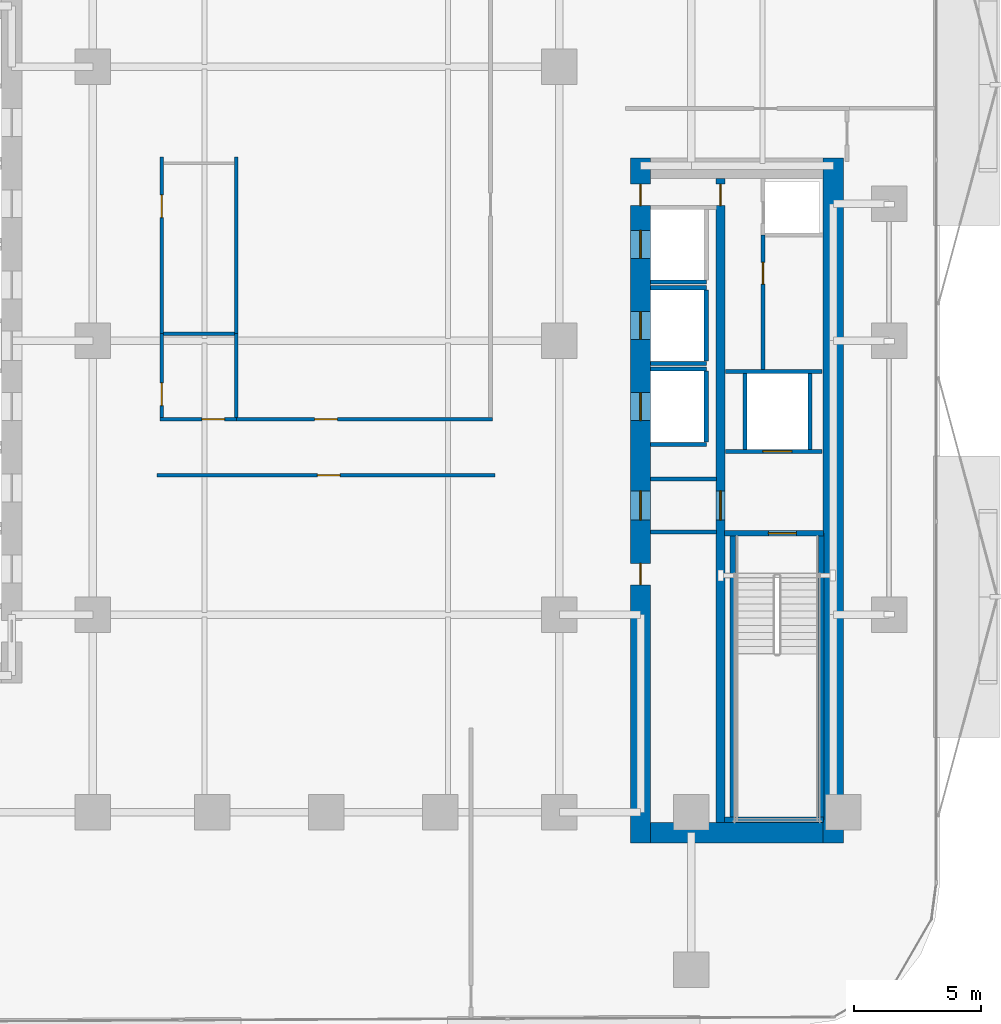
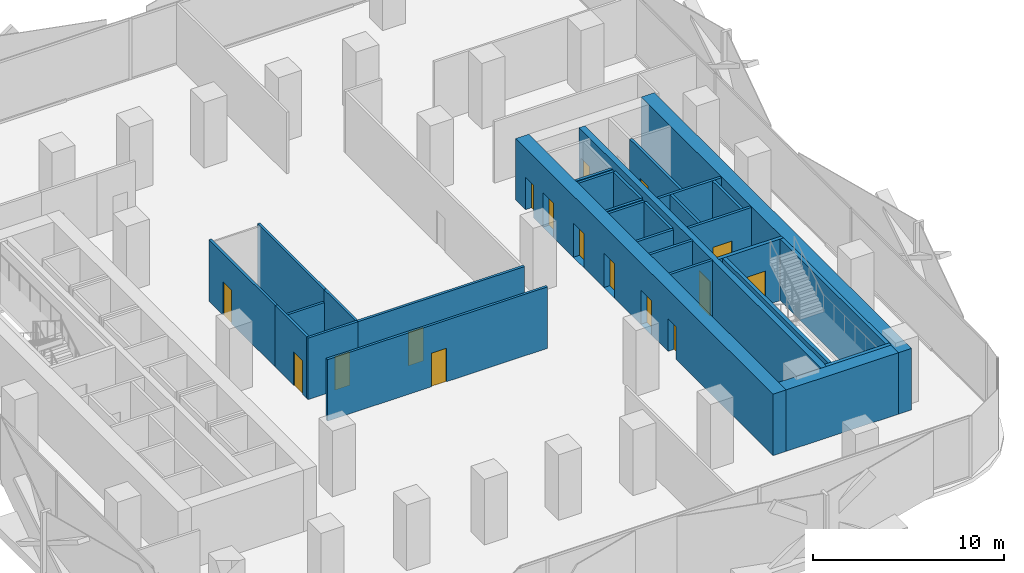
# One storey, part 4 of 15: 30 walls, 16 doors, 16 openings.
"""IFC4 building model written with IfcOpenShell, lengths in metres."""

from ifc_helpers import new_model, si_unit, direction, frame, frame_2d, origin, place, context, subcontext, project, spatial, rectangle, extrude, material, layer, layer_set, type_object, element, fill, save


model = new_model("IFC4")

# Units and contexts
model_context = context("Model", 3, precision=1e-05, world=origin(), true_north=direction((0.0, 1.0)))
body_context = subcontext(model_context, "Body", "Model", "MODEL_VIEW")
ifc_project = project(units=[si_unit("LENGTHUNIT", "METRE"), si_unit("AREAUNIT", "SQUARE_METRE"), si_unit("VOLUMEUNIT", "CUBIC_METRE"), si_unit("PLANEANGLEUNIT", "RADIAN"), si_unit("MASSUNIT", "GRAM", prefix="KILO")], contexts=[model_context])

# Site, building, storey
site_placement = place(None, origin())
site = spatial("IfcSite", under=ifc_project, at=site_placement, CompositionType="ELEMENT")
building_placement = place(site_placement, origin())
building = spatial("IfcBuilding", under=site, at=building_placement, Name="Khairoan Windgate Tower", CompositionType="ELEMENT")
storey_placement = place(building_placement, frame((0.0, 0.0, 30.199951171875)))
storey = spatial("IfcBuildingStorey", under=building, at=storey_placement, Name="L07", CompositionType="ELEMENT", Elevation=30.199951171875)

# Walls
ifc_material_1 = material(Name="Concrete C40/50", Category="concrete")
ifc_layer_1 = layer(ifc_material_1, 0.159912109375, Name="Concrete C40/50")
ifc_layer_set_1 = layer_set([ifc_layer_1], Name="Concrete C40/50")
wall_type_1 = type_object("IfcWallType", Name="Core and Hoistway Enclosure Wall", PredefinedType="STANDARD", material=ifc_layer_set_1)
for number, where, z_axis, x_axis, name in (
    (1, (12.800048828125, 2.31005859375, 0.0), (0.0, 0.0, 1.0), (1.0, 0.0, 0.0), "L07 Lift PL7 Hoistway Divider S"),
    (2, (12.800048828125, -0.889892578125, 0.0), (0.0, 0.0, 1.0), (1.0, 0.0, 0.0), "L07 Lift PL8 Hoistway Divider S"),
    (3, (12.800048828125, 2.090087890625, 0.0), (0.0, 0.0, 1.0), (1.0, 0.0, 0.0), "L07 Lift PL8 Hoistway Divider N"),
):
    element("IfcWall", number, at=place(storey_placement, frame(where, z_axis=z_axis, x_axis=x_axis)), inside=storey, type_object=wall_type_1, Name=name, PredefinedType="STANDARD", context=body_context, shape_type="SweptSolid", body=[
        extrude(rectangle(XDim=2.18994140625, YDim=0.159912109375, at=frame_2d((1.094970703125, 0.0))), origin(), (0.0, 0.0, 1.0), 3.93994140625),
    ])
wall_1_placement = place(storey_placement, frame((14.989990234375, -0.800048828125, 0.0), z_axis=(0.0, 0.0, 1.0), x_axis=(0.0, 1.0, 0.0)))
element("IfcWall", 4, at=wall_1_placement, inside=storey, type_object=wall_type_1, Name="L07 Lift PL8 Hoistway Back Wall", PredefinedType="STANDARD", context=body_context, shape_type="SweptSolid", body=[
    extrude(rectangle(XDim=2.800048828125, YDim=0.159912109375, at=frame_2d((1.39990234375, 0.0))), origin(), (0.0, 0.0, 1.0), 3.93994140625),
])
for number, where, z_axis, x_axis, name in (
    (5, (12.800048828125, -4.090087890625, 0.0), (0.0, 0.0, 1.0), (1.0, 0.0, 0.0), "L07 Lift PL9 Hoistway Divider S"),
    (6, (12.800048828125, -1.110107421875, 0.0), (0.0, 0.0, 1.0), (1.0, 0.0, 0.0), "L07 Lift PL9 Hoistway Divider N"),
):
    element("IfcWall", number, at=place(storey_placement, frame(where, z_axis=z_axis, x_axis=x_axis)), inside=storey, type_object=wall_type_1, Name=name, PredefinedType="STANDARD", context=body_context, shape_type="SweptSolid", body=[
        extrude(rectangle(XDim=2.18994140625, YDim=0.159912109375, at=frame_2d((1.094970703125, 0.0))), origin(), (0.0, 0.0, 1.0), 3.93994140625),
    ])
wall_2_placement = place(storey_placement, frame((14.989990234375, -4.0, 0.0), z_axis=(0.0, 0.0, 1.0), x_axis=(0.0, 1.0, 0.0)))
element("IfcWall", 7, at=wall_2_placement, inside=storey, type_object=wall_type_1, Name="L07 Lift PL9 Hoistway Back Wall", PredefinedType="STANDARD", context=body_context, shape_type="SweptSolid", body=[
    extrude(rectangle(XDim=2.800048828125, YDim=0.159912109375, at=frame_2d((1.39990234375, 0.0))), origin(), (0.0, 0.0, 1.0), 3.93994140625),
])

# Wall, opening, door
wall_3_placement = place(storey_placement, frame((15.75, -4.360107421875, 0.0), z_axis=(0.0, 0.0, 1.0), x_axis=(1.0, 0.0, 0.0)))
wall_3 = element("IfcWall", 8, at=wall_3_placement, inside=storey, type_object=wall_type_1, Name="L07 Core Shaft Wall SW-FL1-L07", PredefinedType="STANDARD", context=body_context, shape_type="SweptSolid", body=[
    extrude(rectangle(XDim=3.800048828125, YDim=0.159912109375, at=frame_2d((1.89990234375, 0.0))), origin(), (0.0, 0.0, 1.0), 3.93994140625),
])
opening_1_placement = place(wall_3_placement, frame((1.469970703125, 0.0, 0.0)))
opening_1 = element("IfcOpeningElement", 9, at=opening_1_placement, cuts=wall_3, Name="Opening LD-FL", PredefinedType="OPENING", context=body_context, shape_type="SweptSolid", body=[
    extrude(rectangle(XDim=1.14990234375, YDim=2.199951171875, at=frame_2d((0.574951171875, 1.10009765625))), frame((0.0, 0.08984375, 0.0), z_axis=(0.0, -1.0, 0.0), x_axis=(1.0, 0.0, 0.0)), (0.0, 0.0, 1.0), 0.179931640625),
])
ifc_material_2 = material(Name="Steel S355", Category="steel")
door_type_1 = type_object("IfcDoorType", Name="Firefighting Lift Sliding Landing Door LD-FL 1150x2200", OperationType="DOUBLE_DOOR_SLIDING", PredefinedType="DOOR", material=ifc_material_2)
door_1_placement = place(opening_1_placement, origin())
door_1 = element("IfcDoor", 10, at=door_1_placement, inside=storey, type_object=door_type_1, Name="L07 Firefighting Lift FL1 Landing Door", OperationType="DOUBLE_DOOR_SLIDING", OverallHeight=2.199951171875, OverallWidth=1.14990234375, PredefinedType="DOOR", context=body_context, shape_type="SweptSolid", body=[
    extrude(rectangle(XDim=1.14990234375, YDim=2.199951171875, at=frame_2d((0.574951171875, 1.10009765625))), frame((0.0, 0.02490234375, 0.0), z_axis=(0.0, -1.0, 0.0), x_axis=(1.0, 0.0, 0.0)), (0.0, 0.0, 1.0), 0.050048828125),
])
fill(opening_1, door_1)

# Walls
wall_4_placement = place(storey_placement, frame((15.75, -1.219970703125, 0.0), z_axis=(0.0, 0.0, 1.0), x_axis=(1.0, 0.0, 0.0)))
element("IfcWall", 11, at=wall_4_placement, inside=storey, type_object=wall_type_1, Name="L07 Core Shaft Wall SW-FL1T-L07", PredefinedType="STANDARD", context=body_context, shape_type="SweptSolid", body=[
    extrude(rectangle(XDim=3.800048828125, YDim=0.159912109375, at=frame_2d((1.89990234375, 0.0))), origin(), (0.0, 0.0, 1.0), 3.93994140625),
])
for number, where, z_axis, x_axis, name in (
    (12, (16.52001953125, -4.280029296875, 0.0), (0.0, 0.0, 1.0), (0.0, 1.0, 0.0), "L07 Core Shaft Wall SW-FL1W-L07"),
    (13, (19.080078125, -4.280029296875, 0.0), (0.0, 0.0, 1.0), (0.0, 1.0, 0.0), "L07 Core Shaft Wall SW-FL1E-L07"),
):
    element("IfcWall", number, at=place(storey_placement, frame(where, z_axis=z_axis, x_axis=x_axis)), inside=storey, type_object=wall_type_1, Name=name, PredefinedType="STANDARD", context=body_context, shape_type="SweptSolid", body=[
        extrude(rectangle(XDim=2.97998046875, YDim=0.159912109375, at=frame_2d((1.489990234375, 0.0))), origin(), (0.0, 0.0, 1.0), 3.93994140625),
    ])
for number, where, z_axis, x_axis, name in (
    (14, (12.800048828125, -5.449951171875, 0.0), (0.0, 0.0, 1.0), (1.0, 0.0, 0.0), "L07 Core Shaft Wall SW-EV1-L07"),
    (15, (12.800048828125, -7.5400390625, 0.0), (0.0, 0.0, 1.0), (1.0, 0.0, 0.0), "L07 Core Shaft Wall SW-EV2-L07"),
):
    element("IfcWall", number, at=place(storey_placement, frame(where, z_axis=z_axis, x_axis=x_axis)), inside=storey, type_object=wall_type_1, Name=name, PredefinedType="STANDARD", context=body_context, shape_type="SweptSolid", body=[
        extrude(rectangle(XDim=2.599853515625, YDim=0.159912109375, at=frame_2d((1.2998046875, 0.0))), origin(), (0.0, 0.0, 1.0), 3.93994140625),
    ])
ifc_material_3 = material(Name="Acoustic Fire-Rated Gypsum Partition", Category="gypsum")
ifc_layer_2 = layer(ifc_material_3, 0.139892578125, Name="Acoustic Fire-Rated Gypsum Partition")
ifc_layer_set_2 = layer_set([ifc_layer_2], Name="Acoustic Fire-Rated Gypsum Partition")
wall_type_2 = type_object("IfcWallType", Name="Inter-Tenancy Compartment Wall", PredefinedType="PARTITIONING", material=ifc_layer_set_2)
wall_5_placement = place(storey_placement, frame((-6.409912109375, 0.280029296875, 0.0), z_axis=(0.0, 0.0, 1.0), x_axis=(1.0, 0.0, 0.0)))
element("IfcWall", 16, at=wall_5_placement, inside=storey, type_object=wall_type_2, Name="L07 Interior Partition 028", PredefinedType="PARTITIONING", context=body_context, shape_type="SweptSolid", body=[
    extrude(rectangle(XDim=2.7998046875, YDim=0.139892578125, at=frame_2d((1.39990234375, 0.0))), origin(), (0.0, 0.0, 1.0), 3.14013671875),
])
wall_6_placement = place(storey_placement, frame((-3.5400390625, -3.02001953125, 0.0), z_axis=(0.0, 0.0, 1.0), x_axis=(0.0, 1.0, 0.0)))
element("IfcWall", 17, at=wall_6_placement, inside=storey, type_object=wall_type_2, Name="L07 Interior Partition 029", PredefinedType="PARTITIONING", context=body_context, shape_type="SweptSolid", body=[
    extrude(rectangle(XDim=3.300048828125, YDim=0.139892578125, at=frame_2d((1.64990234375, 0.0))), origin(), (0.0, 0.0, 1.0), 3.93994140625),
])
wall_7_placement = place(storey_placement, frame((-3.5400390625, 0.280029296875, 0.0), z_axis=(0.0, 0.0, 1.0), x_axis=(0.0, 1.0, 0.0)))
element("IfcWall", 18, at=wall_7_placement, inside=storey, type_object=wall_type_2, Name="L07 Interior Partition 030", PredefinedType="PARTITIONING", context=body_context, shape_type="SweptSolid", body=[
    extrude(rectangle(XDim=6.9599609375, YDim=0.139892578125, at=frame_2d((3.47998046875, 0.0))), origin(), (0.0, 0.0, 1.0), 3.93994140625),
])

# Wall, opening, door
ifc_material_4 = material(Name="Concrete C40/50", Category="concrete")
ifc_layer_3 = layer(ifc_material_4, 0.159912109375, Name="Concrete C40/50")
ifc_layer_set_3 = layer_set([ifc_layer_3], Name="Concrete C40/50")
wall_type_3 = type_object("IfcWallType", Name="Plant and Refuge Compartment Wall", PredefinedType="PARTITIONING", material=ifc_layer_set_3)
wall_8_placement = place(storey_placement, frame((17.22998046875, -1.139892578125, 0.0), z_axis=(0.0, 0.0, 1.0), x_axis=(0.0, 1.0, 0.0)))
wall_8 = element("IfcWall", 19, at=wall_8_placement, inside=storey, type_object=wall_type_3, Name="L07 Interior Partition 007", PredefinedType="PARTITIONING", context=body_context, shape_type="SweptSolid", body=[
    extrude(rectangle(XDim=5.309814453125, YDim=0.159912109375, at=frame_2d((2.65478515625, 0.0))), origin(), (0.0, 0.0, 1.0), 3.93994140625),
])
opening_2_placement = place(wall_8_placement, frame((3.375244140625, 0.0, 0.0)))
opening_2 = element("IfcOpeningElement", 20, at=opening_2_placement, cuts=wall_8, Name="Opening FD-SRV", PredefinedType="OPENING", context=body_context, shape_type="SweptSolid", body=[
    extrude(rectangle(XDim=0.85009765625, YDim=2.10009765625, at=frame_2d((0.425048828125, 1.050048828125))), frame((0.0, 0.08984375, 0.0), z_axis=(0.0, -1.0, 0.0), x_axis=(1.0, 0.0, 0.0)), (0.0, 0.0, 1.0), 0.179931640625),
])
ifc_material_5 = material(Name="Steel S355", Category="steel")
door_type_2 = type_object("IfcDoorType", Name="Core Service and Riser Fire Door FD-SRV 850x2100", OperationType="NOTDEFINED", PredefinedType="DOOR", material=ifc_material_5)
door_2_placement = place(opening_2_placement, origin())
door_2 = element("IfcDoor", 21, at=door_2_placement, inside=storey, type_object=door_type_2, Name="L07 L07-19-L07-21 Door", OperationType="SINGLE_SWING_LEFT", OverallHeight=2.10009765625, OverallWidth=0.85009765625, PredefinedType="DOOR", context=body_context, shape_type="SweptSolid", body=[
    extrude(rectangle(XDim=0.85009765625, YDim=2.10009765625, at=frame_2d((0.425048828125, 1.050048828125))), frame((0.0, 0.02490234375, 0.0), z_axis=(0.0, -1.0, 0.0), x_axis=(1.0, 0.0, 0.0)), (0.0, 0.0, 1.0), 0.050048828125),
])
fill(opening_2, door_2)

ifc_material_6 = material(Name="Acoustic Fire-Rated Gypsum Partition", Category="gypsum")
ifc_layer_4 = layer(ifc_material_6, 0.14990234375, Name="Acoustic Fire-Rated Gypsum Partition")
ifc_layer_set_4 = layer_set([ifc_layer_4], Name="Acoustic Fire-Rated Gypsum Partition")
wall_type_4 = type_object("IfcWallType", Name="Rated Corridor Partition Wall", PredefinedType="PARTITIONING", material=ifc_layer_set_4)
wall_9_placement = place(storey_placement, frame((-6.56005859375, -3.094970703125, 0.0), z_axis=(0.0, 0.0, 1.0), x_axis=(1.0, 0.0, 0.0)))
wall_9 = element("IfcWall", 22, at=wall_9_placement, inside=storey, type_object=wall_type_4, Name="L07 Interior Partition 010", PredefinedType="PARTITIONING", context=body_context, shape_type="SweptSolid", body=[
    extrude(rectangle(XDim=3.02001953125, YDim=0.14990234375, at=frame_2d((1.510009765625, 0.0))), origin(), (0.0, 0.0, 1.0), 3.93994140625),
])
opening_3_placement = place(wall_9_placement, frame((1.659912109375, 0.0, 0.0)))
opening_3 = element("IfcOpeningElement", 23, at=opening_3_placement, cuts=wall_9, Name="Opening FD-ENT", PredefinedType="OPENING", context=body_context, shape_type="SweptSolid", body=[
    extrude(rectangle(XDim=0.89990234375, YDim=2.14990234375, at=frame_2d((0.449951171875, 1.074951171875))), frame((0.0, 0.0849609375, 0.0), z_axis=(0.0, -1.0, 0.0), x_axis=(1.0, 0.0, 0.0)), (0.0, 0.0, 1.0), 0.169921875),
])
ifc_material_7 = material(Name="Timber Fire-Rated Core", Category="wood")
door_type_3 = type_object("IfcDoorType", Name="Unit and Office Fire Entrance Door FD-ENT 900x2150", OperationType="NOTDEFINED", PredefinedType="DOOR", material=ifc_material_7)
door_3_placement = place(opening_3_placement, origin())
door_3 = element("IfcDoor", 24, at=door_3_placement, inside=storey, type_object=door_type_3, Name="L07 L07-30-L07-42 Door", OperationType="SINGLE_SWING_LEFT", OverallHeight=2.14990234375, OverallWidth=0.89990234375, PredefinedType="DOOR", context=body_context, shape_type="SweptSolid", body=[
    extrude(rectangle(XDim=0.89990234375, YDim=2.14990234375, at=frame_2d((0.449951171875, 1.074951171875))), frame((0.0, 0.02490234375, 0.0), z_axis=(0.0, -1.0, 0.0), x_axis=(1.0, 0.0, 0.0)), (0.0, 0.0, 1.0), 0.050048828125),
])
fill(opening_3, door_3)

wall_10_placement = place(storey_placement, frame((-3.5400390625, -3.094970703125, 0.0), z_axis=(0.0, 0.0, 1.0), x_axis=(1.0, 0.0, 0.0)))
wall_10 = element("IfcWall", 25, at=wall_10_placement, inside=storey, type_object=wall_type_4, Name="L07 Interior Partition 011", PredefinedType="PARTITIONING", context=body_context, shape_type="SweptSolid", body=[
    extrude(rectangle(XDim=10.10009765625, YDim=0.14990234375, at=frame_2d((5.050048828125, 0.0))), origin(), (0.0, 0.0, 1.0), 3.93994140625),
])
opening_4_placement = place(wall_10_placement, frame((3.08544921875, 0.0, 0.0)))
opening_4 = element("IfcOpeningElement", 26, at=opening_4_placement, cuts=wall_10, Name="Opening FD-ENT", PredefinedType="OPENING", context=body_context, shape_type="SweptSolid", body=[
    extrude(rectangle(XDim=0.89990234375, YDim=2.14990234375, at=frame_2d((0.449951171875, 1.074951171875))), frame((0.0, 0.0849609375, 0.0), z_axis=(0.0, -1.0, 0.0), x_axis=(1.0, 0.0, 0.0)), (0.0, 0.0, 1.0), 0.169921875),
])
door_4_placement = place(opening_4_placement, origin())
door_4 = element("IfcDoor", 27, at=door_4_placement, inside=storey, type_object=door_type_3, Name="L07 L07-30-L07-44 Door", OperationType="SINGLE_SWING_RIGHT", OverallHeight=2.14990234375, OverallWidth=0.89990234375, PredefinedType="DOOR", context=body_context, shape_type="SweptSolid", body=[
    extrude(rectangle(XDim=0.89990234375, YDim=2.14990234375, at=frame_2d((0.449951171875, 1.074951171875))), frame((0.0, 0.02490234375, 0.0), z_axis=(0.0, -1.0, 0.0), x_axis=(1.0, 0.0, 0.0)), (0.0, 0.0, 1.0), 0.050048828125),
])
fill(opening_4, door_4)

wall_11_placement = place(storey_placement, frame((-6.659912109375, -5.304931640625, 0.0), z_axis=(0.0, 0.0, 1.0), x_axis=(1.0, 0.0, 0.0)))
wall_11 = element("IfcWall", 28, at=wall_11_placement, inside=storey, type_object=wall_type_4, Name="L07 Interior Partition 012", PredefinedType="PARTITIONING", context=body_context, shape_type="SweptSolid", body=[
    extrude(rectangle(XDim=13.31982421875, YDim=0.14990234375, at=frame_2d((6.659912109375, 0.0))), origin(), (0.0, 0.0, 1.0), 3.93994140625),
])
opening_5_placement = place(wall_11_placement, frame((6.310791015625, 0.0, 0.0)))
opening_5 = element("IfcOpeningElement", 29, at=opening_5_placement, cuts=wall_11, Name="Opening FD-ENT", PredefinedType="OPENING", context=body_context, shape_type="SweptSolid", body=[
    extrude(rectangle(XDim=0.89990234375, YDim=2.14990234375, at=frame_2d((0.449951171875, 1.074951171875))), frame((0.0, 0.0849609375, 0.0), z_axis=(0.0, -1.0, 0.0), x_axis=(1.0, 0.0, 0.0)), (0.0, 0.0, 1.0), 0.169921875),
])
door_5_placement = place(opening_5_placement, origin())
door_5 = element("IfcDoor", 30, at=door_5_placement, inside=storey, type_object=door_type_3, Name="L07 L07-30-L07-45 Door", OperationType="SINGLE_SWING_LEFT", OverallHeight=2.14990234375, OverallWidth=0.89990234375, PredefinedType="DOOR", context=body_context, shape_type="SweptSolid", body=[
    extrude(rectangle(XDim=0.89990234375, YDim=2.14990234375, at=frame_2d((0.449951171875, 1.074951171875))), frame((0.0, 0.02490234375, 0.0), z_axis=(0.0, -1.0, 0.0), x_axis=(1.0, 0.0, 0.0)), (0.0, 0.0, 1.0), 0.050048828125),
])
fill(opening_5, door_5)

wall_12_placement = place(storey_placement, frame((-6.485107421875, -3.02001953125, 0.0), z_axis=(0.0, 0.0, 1.0), x_axis=(0.0, 1.0, 0.0)))
wall_12 = element("IfcWall", 31, at=wall_12_placement, inside=storey, type_object=wall_type_4, Name="L07 Interior Partition 014", PredefinedType="PARTITIONING", context=body_context, shape_type="SweptSolid", body=[
    extrude(rectangle(XDim=3.300048828125, YDim=0.14990234375, at=frame_2d((1.64990234375, 0.0))), origin(), (0.0, 0.0, 1.0), 3.93994140625),
])
opening_6_placement = place(wall_12_placement, frame((0.4599609375, 0.0, 0.0)))
opening_6 = element("IfcOpeningElement", 32, at=opening_6_placement, cuts=wall_12, Name="Opening FD-ENT", PredefinedType="OPENING", context=body_context, shape_type="SweptSolid", body=[
    extrude(rectangle(XDim=0.89990234375, YDim=2.14990234375, at=frame_2d((0.449951171875, 1.074951171875))), frame((0.0, 0.0849609375, 0.0), z_axis=(0.0, -1.0, 0.0), x_axis=(1.0, 0.0, 0.0)), (0.0, 0.0, 1.0), 0.169921875),
])
door_6_placement = place(opening_6_placement, origin())
door_6 = element("IfcDoor", 33, at=door_6_placement, inside=storey, type_object=door_type_3, Name="L07 L07-31-L07-42 Door", OperationType="SINGLE_SWING_LEFT", OverallHeight=2.14990234375, OverallWidth=0.89990234375, PredefinedType="DOOR", context=body_context, shape_type="SweptSolid", body=[
    extrude(rectangle(XDim=0.89990234375, YDim=2.14990234375, at=frame_2d((0.449951171875, 1.074951171875))), frame((0.0, 0.02490234375, 0.0), z_axis=(0.0, -1.0, 0.0), x_axis=(1.0, 0.0, 0.0)), (0.0, 0.0, 1.0), 0.050048828125),
])
fill(opening_6, door_6)

wall_13_placement = place(storey_placement, frame((-6.485107421875, 0.280029296875, 0.0), z_axis=(0.0, 0.0, 1.0), x_axis=(0.0, 1.0, 0.0)))
wall_13 = element("IfcWall", 34, at=wall_13_placement, inside=storey, type_object=wall_type_4, Name="L07 Interior Partition 015", PredefinedType="PARTITIONING", context=body_context, shape_type="SweptSolid", body=[
    extrude(rectangle(XDim=6.9599609375, YDim=0.14990234375, at=frame_2d((3.47998046875, 0.0))), origin(), (0.0, 0.0, 1.0), 3.93994140625),
])
opening_7_placement = place(wall_13_placement, frame((4.572021484375, 0.0, 0.0)))
opening_7 = element("IfcOpeningElement", 35, at=opening_7_placement, cuts=wall_13, Name="Opening FD-ENT", PredefinedType="OPENING", context=body_context, shape_type="SweptSolid", body=[
    extrude(rectangle(XDim=0.89990234375, YDim=2.14990234375, at=frame_2d((0.449951171875, 1.074951171875))), frame((0.0, 0.0849609375, 0.0), z_axis=(0.0, -1.0, 0.0), x_axis=(1.0, 0.0, 0.0)), (0.0, 0.0, 1.0), 0.169921875),
])
door_7_placement = place(opening_7_placement, origin())
door_7 = element("IfcDoor", 36, at=door_7_placement, inside=storey, type_object=door_type_3, Name="L07 L07-31-L07-43 Door", OperationType="SINGLE_SWING_RIGHT", OverallHeight=2.14990234375, OverallWidth=0.89990234375, PredefinedType="DOOR", context=body_context, shape_type="SweptSolid", body=[
    extrude(rectangle(XDim=0.89990234375, YDim=2.14990234375, at=frame_2d((0.449951171875, 1.074951171875))), frame((0.0, 0.02490234375, 0.0), z_axis=(0.0, -1.0, 0.0), x_axis=(1.0, 0.0, 0.0)), (0.0, 0.0, 1.0), 0.050048828125),
])
fill(opening_7, door_7)

# Wall, openings, doors
ifc_material_8 = material(Name="Concrete C70/85", Category="concrete")
ifc_layer_5 = layer(ifc_material_8, 0.800048828125, Name="Concrete C70/85")
ifc_layer_set_5 = layer_set([ifc_layer_5], Name="Concrete C70/85")
wall_type_5 = type_object("IfcWallType", Name="Shear Wall CW-E1 800mm", PredefinedType="SHEAR", material=ifc_layer_set_5)
wall_14_placement = place(storey_placement, frame((12.39990234375, -19.800048828125, 0.0), z_axis=(0.0, 0.0, 1.0), x_axis=(0.0, 1.0, 0.0)))
wall_14 = element("IfcWall", 37, at=wall_14_placement, inside=storey, type_object=wall_type_5, Name="E Core West Shear Wall L07", PredefinedType="SHEAR", context=body_context, shape_type="SweptSolid", body=[
    extrude(rectangle(XDim=27.0, YDim=0.800048828125, at=frame_2d((13.5, 0.0))), origin(), (0.0, 0.0, 1.0), 3.93994140625),
])
opening_8_placement = place(wall_14_placement, frame((23.050048828125, 0.0, 0.0)))
opening_8 = element("IfcOpeningElement", 38, at=opening_8_placement, cuts=wall_14, Name="Opening LD-PL", PredefinedType="OPENING", context=body_context, shape_type="SweptSolid", body=[
    extrude(rectangle(XDim=1.10009765625, YDim=2.199951171875, at=frame_2d((0.550048828125, 1.10009765625))), frame((0.0, 0.409912109375, 0.0), z_axis=(0.0, -1.0, 0.0), x_axis=(1.0, 0.0, 0.0)), (0.0, 0.0, 1.0), 0.820068359375),
])
opening_9_placement = place(wall_14_placement, frame((19.85009765625, 0.0, 0.0)))
opening_9 = element("IfcOpeningElement", 39, at=opening_9_placement, cuts=wall_14, Name="Opening LD-PL", PredefinedType="OPENING", context=body_context, shape_type="SweptSolid", body=[
    extrude(rectangle(XDim=1.10009765625, YDim=2.199951171875, at=frame_2d((0.550048828125, 1.10009765625))), frame((0.0, 0.409912109375, 0.0), z_axis=(0.0, -1.0, 0.0), x_axis=(1.0, 0.0, 0.0)), (0.0, 0.0, 1.0), 0.820068359375),
])
opening_10_placement = place(wall_14_placement, frame((16.64990234375, 0.0, 0.0)))
opening_10 = element("IfcOpeningElement", 40, at=opening_10_placement, cuts=wall_14, Name="Opening LD-PL", PredefinedType="OPENING", context=body_context, shape_type="SweptSolid", body=[
    extrude(rectangle(XDim=1.10009765625, YDim=2.199951171875, at=frame_2d((0.550048828125, 1.10009765625))), frame((0.0, 0.409912109375, 0.0), z_axis=(0.0, -1.0, 0.0), x_axis=(1.0, 0.0, 0.0)), (0.0, 0.0, 1.0), 0.820068359375),
])
opening_11_placement = place(wall_14_placement, frame((10.175048828125, 0.0, 0.0)))
opening_11 = element("IfcOpeningElement", 41, at=opening_11_placement, cuts=wall_14, Name="Opening FD-SRV", PredefinedType="OPENING", context=body_context, shape_type="SweptSolid", body=[
    extrude(rectangle(XDim=0.85009765625, YDim=2.10009765625, at=frame_2d((0.425048828125, 1.050048828125))), frame((0.0, 0.409912109375, 0.0), z_axis=(0.0, -1.0, 0.0), x_axis=(1.0, 0.0, 0.0)), (0.0, 0.0, 1.0), 0.820068359375),
])
opening_12_placement = place(wall_14_placement, frame((12.72509765625, 0.0, 0.0)))
opening_12 = element("IfcOpeningElement", 42, at=opening_12_placement, cuts=wall_14, Name="Opening FD-FFL", PredefinedType="OPENING", context=body_context, shape_type="SweptSolid", body=[
    extrude(rectangle(XDim=1.14990234375, YDim=2.199951171875, at=frame_2d((0.574951171875, 1.10009765625))), frame((0.0, 0.409912109375, 0.0), z_axis=(0.0, -1.0, 0.0), x_axis=(1.0, 0.0, 0.0)), (0.0, 0.0, 1.0), 0.820068359375),
])
opening_13_placement = place(wall_14_placement, frame((25.125, 0.0, 0.0)))
opening_13 = element("IfcOpeningElement", 43, at=opening_13_placement, cuts=wall_14, Name="Opening FD-SRV", PredefinedType="OPENING", context=body_context, shape_type="SweptSolid", body=[
    extrude(rectangle(XDim=0.85009765625, YDim=2.10009765625, at=frame_2d((0.425048828125, 1.050048828125))), frame((0.0, 0.409912109375, 0.0), z_axis=(0.0, -1.0, 0.0), x_axis=(1.0, 0.0, 0.0)), (0.0, 0.0, 1.0), 0.820068359375),
])
door_8_placement = place(opening_11_placement, origin())
door_8 = element("IfcDoor", 44, at=door_8_placement, inside=storey, type_object=door_type_2, Name="L07 East Core Service Room Door 1", OperationType="SINGLE_SWING_RIGHT", OverallHeight=2.10009765625, OverallWidth=0.85009765625, PredefinedType="DOOR", context=body_context, shape_type="SweptSolid", body=[
    extrude(rectangle(XDim=0.85009765625, YDim=2.10009765625, at=frame_2d((0.425048828125, 1.050048828125))), frame((0.0, 0.02490234375, 0.0), z_axis=(0.0, -1.0, 0.0), x_axis=(1.0, 0.0, 0.0)), (0.0, 0.0, 1.0), 0.050048828125),
])
fill(opening_11, door_8)
door_9_placement = place(opening_13_placement, origin())
door_9 = element("IfcDoor", 45, at=door_9_placement, inside=storey, type_object=door_type_2, Name="L07 East Core Service Vestibule Outer Door", OperationType="SINGLE_SWING_LEFT", OverallHeight=2.10009765625, OverallWidth=0.85009765625, PredefinedType="DOOR", context=body_context, shape_type="SweptSolid", body=[
    extrude(rectangle(XDim=0.85009765625, YDim=2.10009765625, at=frame_2d((0.425048828125, 1.050048828125))), frame((0.0, 0.02490234375, 0.0), z_axis=(0.0, -1.0, 0.0), x_axis=(1.0, 0.0, 0.0)), (0.0, 0.0, 1.0), 0.050048828125),
])
fill(opening_13, door_9)
ifc_material_9 = material(Name="Steel S355", Category="steel")
door_type_4 = type_object("IfcDoorType", Name="Firefighting Lobby Fire Door FD-FFL 1150x2200", OperationType="NOTDEFINED", PredefinedType="DOOR", material=ifc_material_9)
door_10_placement = place(opening_12_placement, origin())
door_10 = element("IfcDoor", 46, at=door_10_placement, inside=storey, type_object=door_type_4, Name="L07 East Core Vestibule Entry Door", OperationType="SINGLE_SWING_LEFT", OverallHeight=2.199951171875, OverallWidth=1.14990234375, PredefinedType="DOOR", context=body_context, shape_type="SweptSolid", body=[
    extrude(rectangle(XDim=1.14990234375, YDim=2.199951171875, at=frame_2d((0.574951171875, 1.10009765625))), frame((0.0, 0.02490234375, 0.0), z_axis=(0.0, -1.0, 0.0), x_axis=(1.0, 0.0, 0.0)), (0.0, 0.0, 1.0), 0.050048828125),
])
fill(opening_12, door_10)
ifc_material_10 = material(Name="Anodised Bronze Aluminium 6063-T6", Category="aluminium")
door_type_5 = type_object("IfcDoorType", Name="Passenger Lift Sliding Landing Door LD-PL 1100x2200", OperationType="DOUBLE_DOOR_SLIDING", PredefinedType="DOOR", material=ifc_material_10)
door_11_placement = place(opening_8_placement, origin())
door_11 = element("IfcDoor", 47, at=door_11_placement, inside=storey, type_object=door_type_5, Name="L07 Lift PL7 Sliding Landing Door", OperationType="DOUBLE_DOOR_SLIDING", OverallHeight=2.199951171875, OverallWidth=1.10009765625, PredefinedType="DOOR", context=body_context, shape_type="SweptSolid", body=[
    extrude(rectangle(XDim=1.10009765625, YDim=2.199951171875, at=frame_2d((0.550048828125, 1.10009765625))), frame((0.0, 0.02490234375, 0.0), z_axis=(0.0, -1.0, 0.0), x_axis=(1.0, 0.0, 0.0)), (0.0, 0.0, 1.0), 0.050048828125),
])
fill(opening_8, door_11)
door_12_placement = place(opening_9_placement, origin())
door_12 = element("IfcDoor", 48, at=door_12_placement, inside=storey, type_object=door_type_5, Name="L07 Lift PL8 Sliding Landing Door", OperationType="DOUBLE_DOOR_SLIDING", OverallHeight=2.199951171875, OverallWidth=1.10009765625, PredefinedType="DOOR", context=body_context, shape_type="SweptSolid", body=[
    extrude(rectangle(XDim=1.10009765625, YDim=2.199951171875, at=frame_2d((0.550048828125, 1.10009765625))), frame((0.0, 0.02490234375, 0.0), z_axis=(0.0, -1.0, 0.0), x_axis=(1.0, 0.0, 0.0)), (0.0, 0.0, 1.0), 0.050048828125),
])
fill(opening_9, door_12)
door_13_placement = place(opening_10_placement, origin())
door_13 = element("IfcDoor", 49, at=door_13_placement, inside=storey, type_object=door_type_5, Name="L07 Lift PL9 Sliding Landing Door", OperationType="DOUBLE_DOOR_SLIDING", OverallHeight=2.199951171875, OverallWidth=1.10009765625, PredefinedType="DOOR", context=body_context, shape_type="SweptSolid", body=[
    extrude(rectangle(XDim=1.10009765625, YDim=2.199951171875, at=frame_2d((0.550048828125, 1.10009765625))), frame((0.0, 0.02490234375, 0.0), z_axis=(0.0, -1.0, 0.0), x_axis=(1.0, 0.0, 0.0)), (0.0, 0.0, 1.0), 0.050048828125),
])
fill(opening_10, door_13)

# Walls
wall_15_placement = place(storey_placement, frame((20.0, -19.800048828125, 0.0), z_axis=(0.0, 0.0, 1.0), x_axis=(0.0, 1.0, 0.0)))
element("IfcWall", 50, at=wall_15_placement, inside=storey, type_object=wall_type_5, Name="E Core East Shear Wall L07", PredefinedType="SHEAR", context=body_context, shape_type="SweptSolid", body=[
    extrude(rectangle(XDim=27.0, YDim=0.800048828125, at=frame_2d((13.5, 0.0))), origin(), (0.0, 0.0, 1.0), 3.93994140625),
])
wall_16_placement = place(storey_placement, frame((12.800048828125, -19.39990234375, 0.0), z_axis=(0.0, 0.0, 1.0), x_axis=(1.0, 0.0, 0.0)))
element("IfcWall", 51, at=wall_16_placement, inside=storey, type_object=wall_type_5, Name="E Core South Shear Wall L07", PredefinedType="SHEAR", context=body_context, shape_type="SweptSolid", body=[
    extrude(rectangle(XDim=6.800048828125, YDim=0.800048828125, at=frame_2d((3.39990234375, 0.0))), origin(), (0.0, 0.0, 1.0), 3.93994140625),
])

# Wall, openings, doors
ifc_material_11 = material(Name="Concrete C60/75", Category="concrete")
ifc_layer_6 = layer(ifc_material_11, 0.35009765625, Name="Concrete C60/75")
ifc_layer_set_6 = layer_set([ifc_layer_6], Name="Concrete C60/75")
wall_type_6 = type_object("IfcWallType", Name="Shear Wall SW-1 350mm", PredefinedType="SHEAR", material=ifc_layer_set_6)
wall_17_placement = place(storey_placement, frame((15.550048828125, -19.0, 0.0), z_axis=(0.0, 0.0, 1.0), x_axis=(0.0, 1.0, 0.0)))
wall_17 = element("IfcWall", 52, at=wall_17_placement, inside=storey, type_object=wall_type_6, Name="E Core Spine Shear Wall L07", PredefinedType="SHEAR", context=body_context, shape_type="SweptSolid", body=[
    extrude(rectangle(XDim=25.39990234375, YDim=0.35009765625, at=frame_2d((12.699951171875, 0.0))), origin(), (0.0, 0.0, 1.0), 3.93994140625),
])
opening_14_placement = place(wall_17_placement, frame((11.925048828125, 0.0, 0.0)))
opening_14 = element("IfcOpeningElement", 53, at=opening_14_placement, cuts=wall_17, Name="Opening FD-FFL", PredefinedType="OPENING", context=body_context, shape_type="SweptSolid", body=[
    extrude(rectangle(XDim=1.14990234375, YDim=2.199951171875, at=frame_2d((0.574951171875, 1.10009765625))), frame((0.0, 0.18505859375, 0.0), z_axis=(0.0, -1.0, 0.0), x_axis=(1.0, 0.0, 0.0)), (0.0, 0.0, 1.0), 0.3701171875),
])
opening_15_placement = place(wall_17_placement, frame((24.324951171875, 0.0, 0.0)))
opening_15 = element("IfcOpeningElement", 54, at=opening_15_placement, cuts=wall_17, Name="Opening FD-SRV", PredefinedType="OPENING", context=body_context, shape_type="SweptSolid", body=[
    extrude(rectangle(XDim=0.85009765625, YDim=2.10009765625, at=frame_2d((0.425048828125, 1.050048828125))), frame((0.0, 0.18505859375, 0.0), z_axis=(0.0, -1.0, 0.0), x_axis=(1.0, 0.0, 0.0)), (0.0, 0.0, 1.0), 0.3701171875),
])
door_14_placement = place(opening_15_placement, origin())
door_14 = element("IfcDoor", 55, at=door_14_placement, inside=storey, type_object=door_type_2, Name="L07 East Core Service Passage Inner Door", OperationType="SINGLE_SWING_RIGHT", OverallHeight=2.10009765625, OverallWidth=0.85009765625, PredefinedType="DOOR", context=body_context, shape_type="SweptSolid", body=[
    extrude(rectangle(XDim=0.85009765625, YDim=2.10009765625, at=frame_2d((0.425048828125, 1.050048828125))), frame((0.0, 0.02490234375, 0.0), z_axis=(0.0, -1.0, 0.0), x_axis=(1.0, 0.0, 0.0)), (0.0, 0.0, 1.0), 0.050048828125),
])
fill(opening_15, door_14)
door_15_placement = place(opening_14_placement, origin())
door_15 = element("IfcDoor", 56, at=door_15_placement, inside=storey, type_object=door_type_4, Name="L07 East Firefighting Lobby Fire Door", OperationType="SINGLE_SWING_RIGHT", OverallHeight=2.199951171875, OverallWidth=1.14990234375, PredefinedType="DOOR", context=body_context, shape_type="SweptSolid", body=[
    extrude(rectangle(XDim=1.14990234375, YDim=2.199951171875, at=frame_2d((0.574951171875, 1.10009765625))), frame((0.0, 0.02490234375, 0.0), z_axis=(0.0, -1.0, 0.0), x_axis=(1.0, 0.0, 0.0)), (0.0, 0.0, 1.0), 0.050048828125),
])
fill(opening_14, door_15)

# Walls
ifc_material_12 = material(Name="Concrete C50/60", Category="concrete")
ifc_layer_7 = layer(ifc_material_12, 0.219970703125, Name="Concrete C50/60")
ifc_layer_set_7 = layer_set([ifc_layer_7], Name="Concrete C50/60")
wall_type_7 = type_object("IfcWallType", Name="Shear Wall SW-ST 220mm", PredefinedType="SHEAR", material=ifc_layer_set_7)
for number, where, z_axis, x_axis, name in (
    (57, (16.0400390625, -18.889892578125, 0.0), (0.0, 0.0, 1.0), (0.0, 1.0, 0.0), "L07 Stair ST1 West Bearing Wall"),
    (58, (19.530029296875, -18.889892578125, 0.0), (0.0, 0.0, 1.0), (0.0, 1.0, 0.0), "L07 Stair ST1 East Bearing Wall"),
):
    element("IfcWall", number, at=place(storey_placement, frame(where, z_axis=z_axis, x_axis=x_axis)), inside=storey, type_object=wall_type_7, Name=name, PredefinedType="SHEAR", context=body_context, shape_type="SweptSolid", body=[
        extrude(rectangle(XDim=11.2998046875, YDim=0.219970703125, at=frame_2d((5.64990234375, 0.0))), origin(), (0.0, 0.0, 1.0), 3.93994140625),
    ])
wall_18_placement = place(storey_placement, frame((15.705078125, -18.889892578125, 0.0), z_axis=(0.0, 0.0, 1.0), x_axis=(1.0, 0.0, 0.0)))
element("IfcWall", 59, at=wall_18_placement, inside=storey, type_object=wall_type_7, Name="L07 Stair ST1 South Bearing Wall", PredefinedType="SHEAR", context=body_context, shape_type="SweptSolid", body=[
    extrude(rectangle(XDim=3.9150390625, YDim=0.219970703125, at=frame_2d((1.95751953125, 0.0))), origin(), (0.0, 0.0, 1.0), 3.93994140625),
])

# Wall, opening, door
wall_19_placement = place(storey_placement, frame((19.6201171875, -7.590087890625, 0.0), z_axis=(0.0, 0.0, 1.0), x_axis=(-1.0, 0.0, 0.0)))
wall_19 = element("IfcWall", 60, at=wall_19_placement, inside=storey, type_object=wall_type_7, Name="L07 Stair ST1 North Bearing Wall", PredefinedType="SHEAR", context=body_context, shape_type="SweptSolid", body=[
    extrude(rectangle(XDim=3.9150390625, YDim=0.219970703125, at=frame_2d((1.95751953125, 0.0))), origin(), (0.0, 0.0, 1.0), 3.93994140625),
])
opening_16_placement = place(wall_19_placement, frame((1.080078125, 0.0, 0.0)))
opening_16 = element("IfcOpeningElement", 61, at=opening_16_placement, cuts=wall_19, Name="Opening FD-ST", PredefinedType="OPENING", context=body_context, shape_type="SweptSolid", body=[
    extrude(rectangle(XDim=1.10009765625, YDim=2.199951171875, at=frame_2d((0.550048828125, 1.10009765625))), frame((0.0, 0.119873046875, 0.0), z_axis=(0.0, -1.0, 0.0), x_axis=(1.0, 0.0, 0.0)), (0.0, 0.0, 1.0), 0.239990234375),
])
ifc_material_13 = material(Name="Steel S355", Category="steel")
door_type_6 = type_object("IfcDoorType", Name="Smokeproof Stair Fire Door FD-ST 1100x2200", OperationType="NOTDEFINED", PredefinedType="DOOR", material=ifc_material_13)
door_16_placement = place(opening_16_placement, origin())
door_16 = element("IfcDoor", 62, at=door_16_placement, inside=storey, type_object=door_type_6, Name="L07 Stair ST1 Fire Door", OperationType="SINGLE_SWING_RIGHT", OverallHeight=2.199951171875, OverallWidth=1.10009765625, PredefinedType="DOOR", context=body_context, shape_type="SweptSolid", body=[
    extrude(rectangle(XDim=1.10009765625, YDim=2.199951171875, at=frame_2d((0.550048828125, 1.10009765625))), frame((0.0, 0.02490234375, 0.0), z_axis=(0.0, -1.0, 0.0), x_axis=(1.0, 0.0, 0.0)), (0.0, 0.0, 1.0), 0.050048828125),
])
fill(opening_16, door_16)

save(model, "model.ifc")
